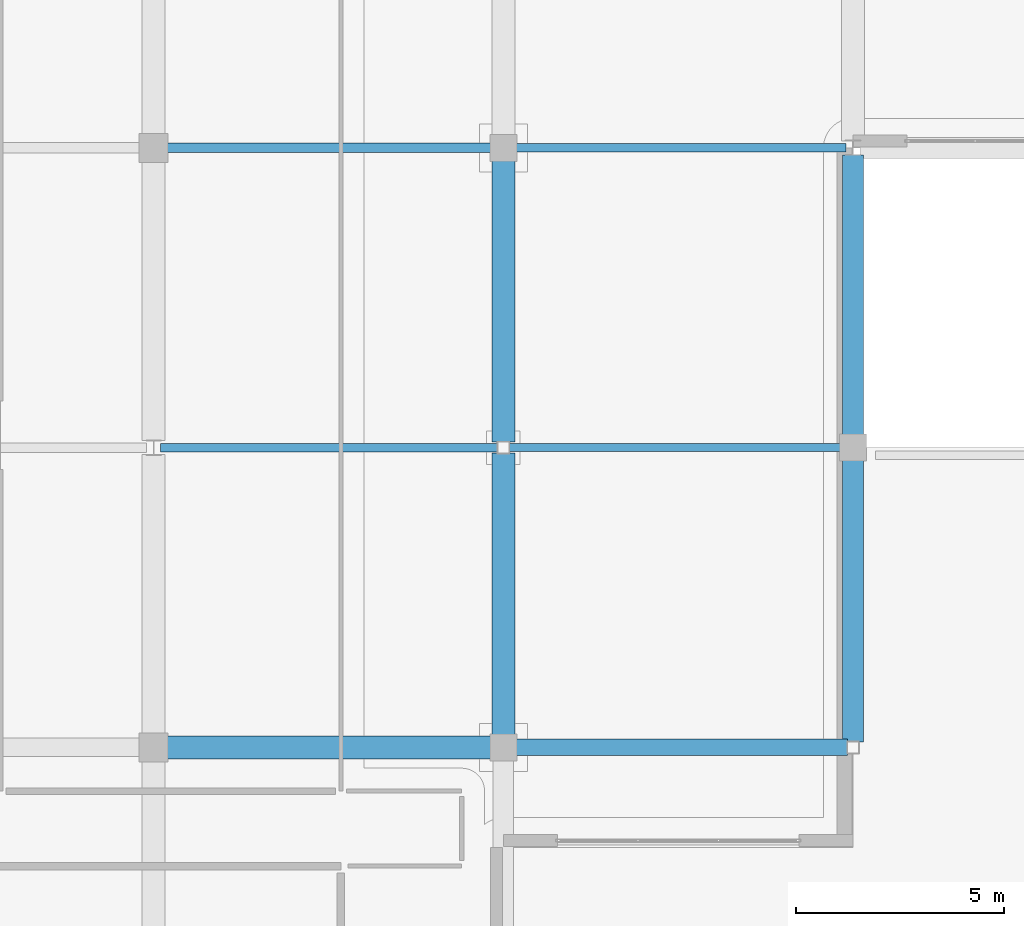
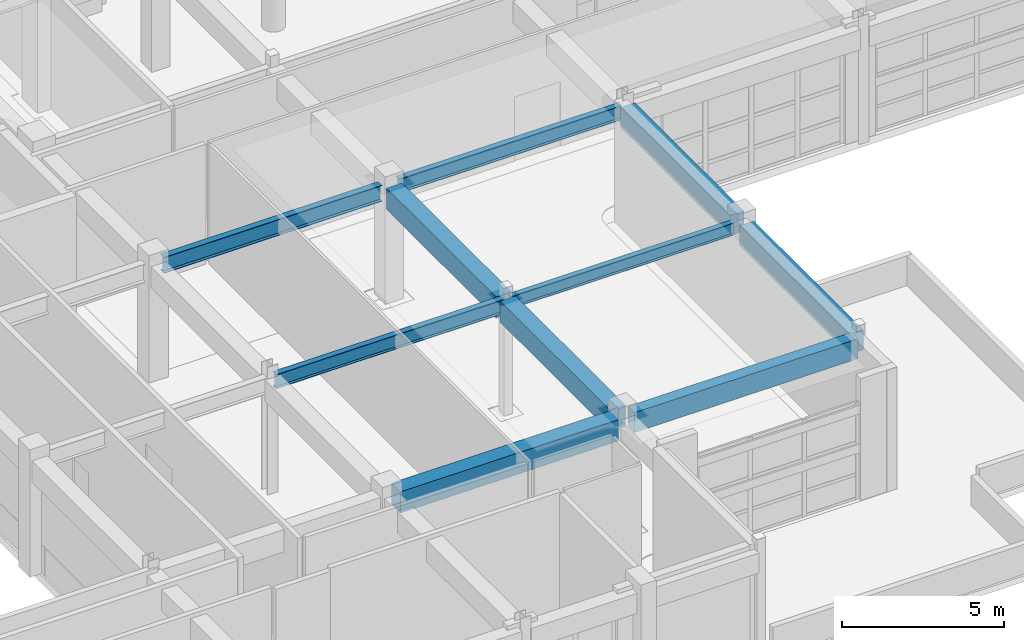
# One storey, part 57 of 123: 10 beams.
"""IFC4 building model written with IfcOpenShell, lengths in metres."""

from ifc_helpers import new_model, si_unit, direction, frame, origin, origin_2d, place, context, subcontext, project, spatial, rectangle, i_section, extrude, material, material_profile, profile_set, type_object, element, save


model = new_model("IFC4")

# Units and contexts
model_context = context("Model", 3, precision=1e-05, world=origin(), true_north=direction((0.0, 1.0)))
body_context = subcontext(model_context, "Body", "Model", "MODEL_VIEW")
ifc_project = project(units=[si_unit("LENGTHUNIT", "METRE"), si_unit("AREAUNIT", "SQUARE_METRE"), si_unit("VOLUMEUNIT", "CUBIC_METRE"), si_unit("PLANEANGLEUNIT", "RADIAN"), si_unit("MASSUNIT", "GRAM", prefix="KILO")], contexts=[model_context])

# Site, building, storey
site_placement = place(None, origin())
site = spatial("IfcSite", under=ifc_project, at=site_placement, CompositionType="ELEMENT")
building_placement = place(site_placement, origin())
building = spatial("IfcBuilding", under=site, at=building_placement, Name="Quendrovan Civic Courthouse", CompositionType="ELEMENT")
storey_placement = place(building_placement, frame((0.0, 0.0, 5.39990234375)))
storey = spatial("IfcBuildingStorey", under=building, at=storey_placement, Name="L02", CompositionType="ELEMENT", Elevation=5.39990234375)

# Beams
ifc_material_1 = material(Name="Concrete C40/50", Category="concrete")
ifc_material_profile_1 = material_profile(ifc_material_1, rectangle(XDim=0.5, YDim=0.75, at=origin_2d()), Name="RC-BM-500x750")
ifc_profile_set_1 = profile_set([ifc_material_profile_1], Name="Concrete C40/50")
beam_type_1 = type_object("IfcBeamType", Name="BM-RC750", PredefinedType="SPANDREL", material=ifc_profile_set_1)
beam_1_placement = place(storey_placement, frame((109.199951171875, 73.330078125, 3.985107421875), z_axis=(0.0, 1.0, 0.0), x_axis=(-1.0, 0.0, 0.0)))
element("IfcBeam", 1, at=beam_1_placement, inside=storey, type_object=beam_type_1, Name="L02 Girder Y0691", PredefinedType="SPANDREL", context=body_context, shape_type="SweptSolid", body=[
    extrude(rectangle(XDim=0.5, YDim=0.75, at=origin_2d()), origin(), (0.0, 0.0, 1.0), 6.764892578125),
])
beam_2_placement = place(storey_placement, frame((109.199951171875, 80.705078125, 3.985107421875), z_axis=(0.0, 1.0, 0.0), x_axis=(-1.0, 0.0, 0.0)))
element("IfcBeam", 2, at=beam_2_placement, inside=storey, type_object=beam_type_1, Name="L02 Girder Y0692", PredefinedType="SPANDREL", context=body_context, shape_type="SweptSolid", body=[
    extrude(rectangle(XDim=0.5, YDim=0.75, at=origin_2d()), origin(), (0.0, 0.0, 1.0), 6.72900390625),
])
ifc_material_profile_2 = material_profile(ifc_material_1, rectangle(XDim=0.39990234375, YDim=0.75, at=origin_2d()), Name="RC-BM-400x750")
ifc_profile_set_2 = profile_set([ifc_material_profile_2], Name="Concrete C40/50")
beam_type_2 = type_object("IfcBeamType", Name="BM-RC750B", PredefinedType="BEAM", material=ifc_profile_set_2)
beam_3_placement = place(storey_placement, frame((101.10498046875, 73.199951171875, 3.985107421875), z_axis=(1.0, 0.0, 0.0), x_axis=(0.0, 1.0, 0.0)))
element("IfcBeam", 3, at=beam_3_placement, inside=storey, type_object=beam_type_2, Name="L02 Girder X0544", PredefinedType="BEAM", context=body_context, shape_type="SweptSolid", body=[
    extrude(rectangle(XDim=0.39990234375, YDim=0.75, at=origin_2d()), origin(), (0.0, 0.0, 1.0), 7.965087890625),
])
ifc_material_profile_3 = material_profile(ifc_material_1, rectangle(XDim=0.550048828125, YDim=0.800048828125, at=origin_2d()), Name="RC-BM-550x800")
ifc_profile_set_3 = profile_set([ifc_material_profile_3], Name="Concrete C40/50")
beam_type_3 = type_object("IfcBeamType", Name="BM-RC800", PredefinedType="BEAM", material=ifc_profile_set_3)
beam_4_placement = place(storey_placement, frame((92.72998046875, 73.199951171875, 3.960205078125), z_axis=(1.0, 0.0, 0.0), x_axis=(0.0, 1.0, 0.0)))
element("IfcBeam", 4, at=beam_4_placement, inside=storey, type_object=beam_type_3, Name="L02 Girder X0543", PredefinedType="BEAM", context=body_context, shape_type="SweptSolid", body=[
    extrude(rectangle(XDim=0.550048828125, YDim=0.800048828125, at=origin_2d()), origin(), (0.0, 0.0, 1.0), 7.76513671875),
])
beam_5_placement = place(storey_placement, frame((100.800048828125, 73.5048828125, 3.960205078125), z_axis=(0.0, 1.0, 0.0), x_axis=(-1.0, 0.0, 0.0)))
element("IfcBeam", 5, at=beam_5_placement, inside=storey, type_object=beam_type_3, Name="L02 Girder Y0686", PredefinedType="BEAM", context=body_context, shape_type="SweptSolid", body=[
    extrude(rectangle(XDim=0.550048828125, YDim=0.800048828125, at=origin_2d()), origin(), (0.0, 0.0, 1.0), 6.76513671875),
])
beam_6_placement = place(storey_placement, frame((100.800048828125, 80.530029296875, 3.960205078125), z_axis=(0.0, 1.0, 0.0), x_axis=(-1.0, 0.0, 0.0)))
element("IfcBeam", 6, at=beam_6_placement, inside=storey, type_object=beam_type_3, Name="L02 Girder Y0687", PredefinedType="BEAM", context=body_context, shape_type="SweptSolid", body=[
    extrude(rectangle(XDim=0.550048828125, YDim=0.800048828125, at=origin_2d()), origin(), (0.0, 0.0, 1.0), 6.764892578125),
])
ifc_material_2 = material(Name="Steel ASTM A992 Grade 50", Category="steel")
ifc_material_profile_4 = material_profile(ifc_material_2, i_section(OverallWidth=0.18994140625, OverallDepth=0.45703125, WebThickness=0.009033203125, FlangeThickness=0.014404296875, at=origin_2d()), Name="W18X50")
ifc_profile_set_4 = profile_set([ifc_material_profile_4], Name="Steel ASTM A992 Grade 50")
beam_type_4 = type_object("IfcBeamType", Name="BM-STL-W18", PredefinedType="JOIST", material=ifc_profile_set_4)
beam_7_placement = place(storey_placement, frame((100.929931640625, 80.39990234375, 4.131591796875), z_axis=(1.0, 0.0, 0.0), x_axis=(0.0, 1.0, 0.0)))
element("IfcBeam", 7, at=beam_7_placement, inside=storey, type_object=beam_type_4, Name="L02 Girder X0550", PredefinedType="JOIST", context=body_context, shape_type="SweptSolid", body=[
    extrude(i_section(OverallWidth=0.18994140625, OverallDepth=0.45703125, WebThickness=0.009033203125, FlangeThickness=0.014404296875, at=origin_2d()), origin(), (0.0, 0.0, 1.0), 7.965087890625),
])
ifc_material_profile_5 = material_profile(ifc_material_2, i_section(OverallWidth=0.208984375, OverallDepth=0.532958984375, WebThickness=0.01025390625, FlangeThickness=0.015625, at=origin_2d()), Name="W21X62")
ifc_profile_set_5 = profile_set([ifc_material_profile_5], Name="Steel ASTM A992 Grade 50")
beam_type_5 = type_object("IfcBeamType", Name="BM-STL-W21", PredefinedType="JOIST", material=ifc_profile_set_5)
beam_8_placement = place(storey_placement, frame((92.56689453125, 80.39990234375, 4.093505859375), z_axis=(1.0, 0.0, 0.0), x_axis=(0.0, 1.0, 0.0)))
element("IfcBeam", 8, at=beam_8_placement, inside=storey, type_object=beam_type_5, Name="L02 Girder X0549", PredefinedType="JOIST", context=body_context, shape_type="SweptSolid", body=[
    extrude(i_section(OverallWidth=0.208984375, OverallDepth=0.532958984375, WebThickness=0.01025390625, FlangeThickness=0.015625, at=origin_2d()), origin(), (0.0, 0.0, 1.0), 8.10302734375),
])
beam_9_placement = place(storey_placement, frame((101.10498046875, 87.60009765625, 4.093505859375), z_axis=(1.0, 0.0, 0.0), x_axis=(0.0, 1.0, 0.0)))
element("IfcBeam", 9, at=beam_9_placement, inside=storey, type_object=beam_type_5, Name="L02 Girder X0559", PredefinedType="JOIST", context=body_context, shape_type="SweptSolid", body=[
    extrude(i_section(OverallWidth=0.208984375, OverallDepth=0.532958984375, WebThickness=0.01025390625, FlangeThickness=0.015625, at=origin_2d()), origin(), (0.0, 0.0, 1.0), 7.927978515625),
])
ifc_material_profile_6 = material_profile(ifc_material_2, i_section(OverallWidth=0.22802734375, OverallDepth=0.60693359375, WebThickness=0.01123046875, FlangeThickness=0.017333984375, at=origin_2d()), Name="W24X76")
ifc_profile_set_6 = profile_set([ifc_material_profile_6], Name="Steel ASTM A992 Grade 50")
beam_type_6 = type_object("IfcBeamType", Name="BM-STL-W24", PredefinedType="BEAM", material=ifc_profile_set_6)
beam_10_placement = place(storey_placement, frame((92.72998046875, 87.60009765625, 4.056640625), z_axis=(1.0, 0.0, 0.0), x_axis=(0.0, 1.0, 0.0)))
element("IfcBeam", 10, at=beam_10_placement, inside=storey, type_object=beam_type_6, Name="L02 Girder X0558", PredefinedType="BEAM", context=body_context, shape_type="SweptSolid", body=[
    extrude(i_section(OverallWidth=0.22802734375, OverallDepth=0.60693359375, WebThickness=0.01123046875, FlangeThickness=0.017333984375, at=origin_2d()), origin(), (0.0, 0.0, 1.0), 7.76513671875),
])

save(model, "model.ifc")
